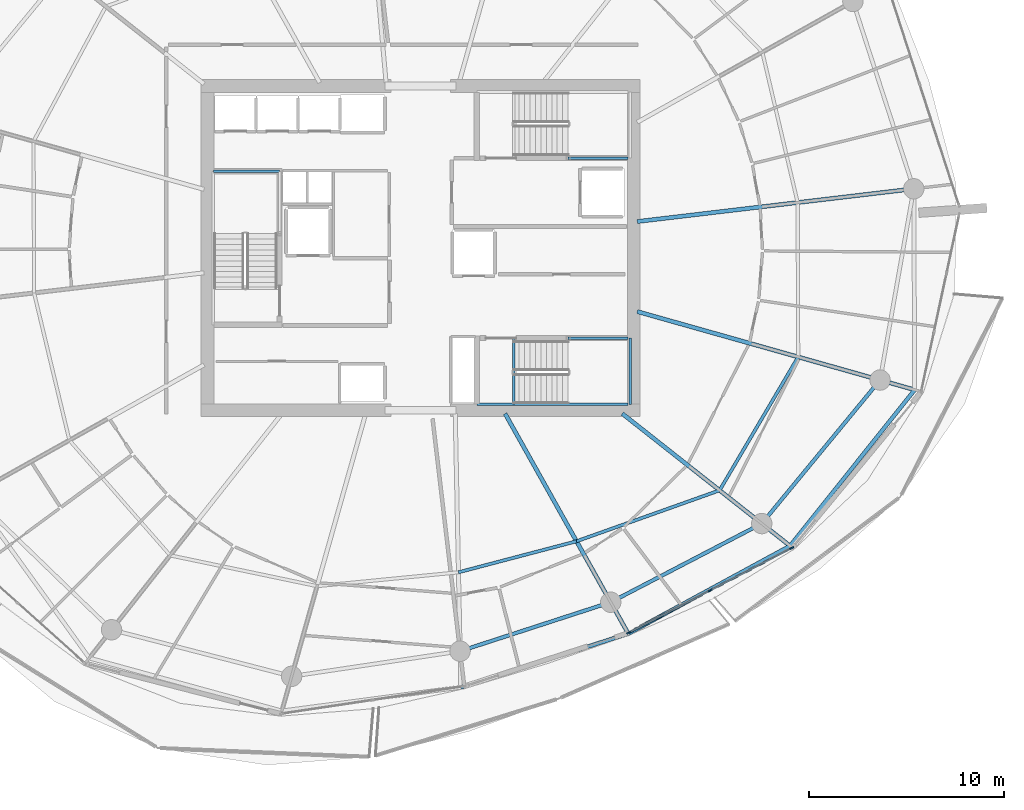
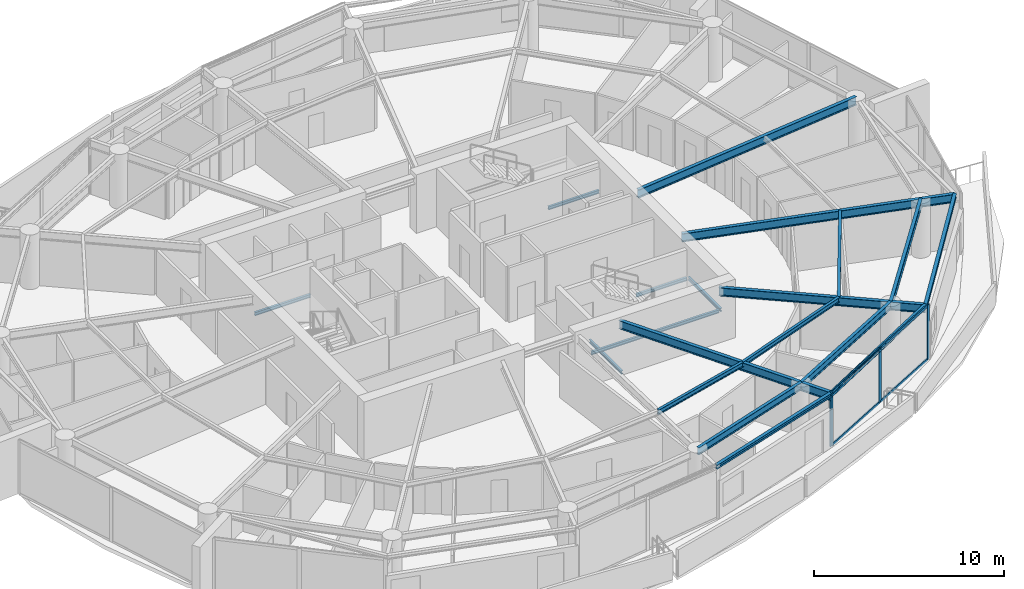
# One storey, part 6 of 20: 19 beams, 7 members, 1 element without a shape of its own.
"""IFC4 building model written with IfcOpenShell, lengths in metres."""

from ifc_helpers import new_model, si_unit, direction, frame, origin, origin_2d, place, context, subcontext, project, spatial, rectangle, i_section, extrude, material, layer, layer_set, material_profile, profile_set, type_object, element, aggregate, save


model = new_model("IFC4")

# Units and contexts
model_context = context("Model", 3, precision=1e-05, world=origin(), true_north=direction((0.0, 1.0)))
body_context = subcontext(model_context, "Body", "Model", "MODEL_VIEW")
ifc_project = project(units=[si_unit("LENGTHUNIT", "METRE"), si_unit("AREAUNIT", "SQUARE_METRE"), si_unit("VOLUMEUNIT", "CUBIC_METRE"), si_unit("PLANEANGLEUNIT", "RADIAN"), si_unit("MASSUNIT", "GRAM", prefix="KILO")], contexts=[model_context])

# Site, building, storey
site_placement = place(None, origin())
site = spatial("IfcSite", under=ifc_project, at=site_placement, CompositionType="ELEMENT")
building_placement = place(site_placement, origin())
building = spatial("IfcBuilding", under=site, at=building_placement, Name="Kazma Halo Residences", CompositionType="ELEMENT")
storey_placement = place(building_placement, frame((0.0, 0.0, 206.550048828125)))
storey = spatial("IfcBuildingStorey", under=building, at=storey_placement, Name="L52", CompositionType="ELEMENT", Elevation=206.550048828125)

# Beams
ifc_material_1 = material(Name="Steel S355", Category="steel")
ifc_material_profile_1 = material_profile(ifc_material_1, i_section(OverallWidth=0.201904296875, OverallDepth=0.2470703125, WebThickness=0.00732421875, FlangeThickness=0.010986328125, FilletRadius=0.011962890625, at=origin_2d()), Name="W250x49.1")
ifc_profile_set_1 = profile_set([ifc_material_profile_1], Name="Steel S355")
beam_type_1 = type_object("IfcBeamType", Name="BM-BAL-CANT", PredefinedType="BEAM", material=ifc_profile_set_1)
beam_1_placement = place(storey_placement, frame((50.48779296875, 19.45068359375, 3.37646484375), z_axis=(0.952538666424, 0.30441762263, 0.0), x_axis=(-0.30441762263, 0.952538666424, 0.0)))
element("IfcBeam", 1, at=beam_1_placement, inside=storey, type_object=beam_type_1, Name="L52 wave-balcony tie beam 12", PredefinedType="BEAM", context=body_context, shape_type="SweptSolid", body=[
    extrude(i_section(OverallWidth=0.201904296875, OverallDepth=0.2470703125, WebThickness=0.00732421875, FlangeThickness=0.010986328125, FilletRadius=0.011962890625, at=origin_2d()), origin(), (0.0, 0.0, 1.0), 9.029541015625),
])
beam_2_placement = place(storey_placement, frame((59.0888671875, 22.199462890625, 3.37646484375), z_axis=(0.878890557257, 0.477023467309, 0.0), x_axis=(-0.477023467309, 0.878890557257, 0.0)))
element("IfcBeam", 2, at=beam_2_placement, inside=storey, type_object=beam_type_1, Name="L52 wave-balcony tie beam 13", PredefinedType="BEAM", context=body_context, shape_type="SweptSolid", body=[
    extrude(i_section(OverallWidth=0.201904296875, OverallDepth=0.2470703125, WebThickness=0.00732421875, FlangeThickness=0.010986328125, FilletRadius=0.011962890625, at=origin_2d()), origin(), (0.0, 0.0, 1.0), 9.452880859375),
])
beam_3_placement = place(storey_placement, frame((67.39697265625, 26.708740234375, 3.37646484375), z_axis=(0.624195724924, 0.781268005864, 0.0), x_axis=(-0.781268005864, 0.624195724924, 0.0)))
element("IfcBeam", 3, at=beam_3_placement, inside=storey, type_object=beam_type_1, Name="L52 wave-balcony tie beam 14", PredefinedType="BEAM", context=body_context, shape_type="SweptSolid", body=[
    extrude(i_section(OverallWidth=0.201904296875, OverallDepth=0.2470703125, WebThickness=0.00732421875, FlangeThickness=0.010986328125, FilletRadius=0.011962890625, at=origin_2d()), origin(), (0.0, 0.0, 1.0), 10.258544921875),
])
ifc_material_profile_2 = material_profile(ifc_material_1, i_section(OverallWidth=0.208984375, OverallDepth=0.532958984375, WebThickness=0.01025390625, FlangeThickness=0.015625, FilletRadius=0.01611328125, at=origin_2d()), Name="W530x92")
ifc_profile_set_2 = profile_set([ifc_material_profile_2], Name="Steel S355")
beam_type_2 = type_object("IfcBeamType", Name="BM-RAD-W530", PredefinedType="BEAM", material=ifc_profile_set_2)
beam_4_placement = place(storey_placement, frame((52.76025390625, 33.5, 3.2333984375), z_axis=(0.488621736368, -0.872495729931, 0.0), x_axis=(0.872495729931, 0.488621736368, 0.0)))
element("IfcBeam", 4, at=beam_4_placement, inside=storey, type_object=beam_type_2, Name="L52 radial floor beam 13", PredefinedType="BEAM", context=body_context, shape_type="SweptSolid", body=[
    extrude(i_section(OverallWidth=0.208984375, OverallDepth=0.532958984375, WebThickness=0.01025390625, FlangeThickness=0.015625, FilletRadius=0.01611328125, at=origin_2d()), origin(), (0.0, 0.0, 1.0), 12.951904296875),
])
beam_5_placement = place(storey_placement, frame((58.7822265625, 33.5, 3.2333984375), z_axis=(0.785319521624, -0.619090662954, 0.0), x_axis=(0.619090662954, 0.785319521624, 0.0)))
element("IfcBeam", 5, at=beam_5_placement, inside=storey, type_object=beam_type_2, Name="L52 radial floor beam 14", PredefinedType="BEAM", context=body_context, shape_type="SweptSolid", body=[
    extrude(i_section(OverallWidth=0.208984375, OverallDepth=0.532958984375, WebThickness=0.01025390625, FlangeThickness=0.015625, FilletRadius=0.01611328125, at=origin_2d()), origin(), (0.0, 0.0, 1.0), 10.9697265625),
])
beam_6_placement = place(storey_placement, frame((59.550048828125, 38.74267578125, 3.2333984375), z_axis=(0.962449896911, -0.271459381741, 0.0), x_axis=(0.271459381741, 0.962449896911, 0.0)))
element("IfcBeam", 6, at=beam_6_placement, inside=storey, type_object=beam_type_2, Name="L52 radial floor beam 15", PredefinedType="BEAM", context=body_context, shape_type="SweptSolid", body=[
    extrude(i_section(OverallWidth=0.208984375, OverallDepth=0.532958984375, WebThickness=0.01025390625, FlangeThickness=0.015625, FilletRadius=0.01611328125, at=origin_2d()), origin(), (0.0, 0.0, 1.0), 14.80615234375),
])
beam_7_placement = place(storey_placement, frame((59.550048828125, 43.366943359375, 3.2333984375), z_axis=(0.993068204292, 0.117539532174, 0.0), x_axis=(-0.117539532174, 0.993068204292, 0.0)))
element("IfcBeam", 7, at=beam_7_placement, inside=storey, type_object=beam_type_2, Name="L52 radial floor beam 16", PredefinedType="BEAM", context=body_context, shape_type="SweptSolid", body=[
    extrude(i_section(OverallWidth=0.208984375, OverallDepth=0.532958984375, WebThickness=0.01025390625, FlangeThickness=0.015625, FilletRadius=0.01611328125, at=origin_2d()), origin(), (0.0, 0.0, 1.0), 14.30078125),
])
ifc_material_profile_3 = material_profile(ifc_material_1, i_section(OverallWidth=0.1650390625, OverallDepth=0.31005859375, WebThickness=0.005859375, FlangeThickness=0.009765625, FilletRadius=0.011962890625, at=origin_2d()), Name="W310x38.7")
ifc_profile_set_3 = profile_set([ifc_material_profile_3], Name="Steel S355")
beam_type_3 = type_object("IfcBeamType", Name="BM-SEC-W310B", PredefinedType="JOIST", material=ifc_profile_set_3)
beam_8_placement = place(storey_placement, frame((50.366943359375, 25.3515625, 3.344970703125), z_axis=(0.967135034863, 0.254263297273, 0.0), x_axis=(-0.254263297273, 0.967135034863, 0.0)))
element("IfcBeam", 8, at=beam_8_placement, inside=storey, type_object=beam_type_3, Name="L52 circumferential floor joist 12", PredefinedType="JOIST", context=body_context, shape_type="SweptSolid", body=[
    extrude(i_section(OverallWidth=0.1650390625, OverallDepth=0.31005859375, WebThickness=0.005859375, FlangeThickness=0.009765625, FilletRadius=0.011962890625, at=origin_2d()), origin(), (0.0, 0.0, 1.0), 6.27001953125),
])
beam_9_placement = place(storey_placement, frame((56.430908203125, 26.94580078125, 3.344970703125), z_axis=(0.942107492186, 0.335311009612, 0.0), x_axis=(-0.335311009612, 0.942107492186, 0.0)))
element("IfcBeam", 9, at=beam_9_placement, inside=storey, type_object=beam_type_3, Name="L52 circumferential floor joist 13", PredefinedType="JOIST", context=body_context, shape_type="SweptSolid", body=[
    extrude(i_section(OverallWidth=0.1650390625, OverallDepth=0.31005859375, WebThickness=0.005859375, FlangeThickness=0.009765625, FilletRadius=0.011962890625, at=origin_2d()), origin(), (0.0, 0.0, 1.0), 7.79931640625),
])
beam_10_placement = place(storey_placement, frame((63.77880859375, 29.56103515625, 3.344970703125), z_axis=(0.507638586433, 0.861570116453, 0.0), x_axis=(-0.861570116453, 0.507638586433, 0.0)))
element("IfcBeam", 10, at=beam_10_placement, inside=storey, type_object=beam_type_3, Name="L52 circumferential floor joist 14", PredefinedType="JOIST", context=body_context, shape_type="SweptSolid", body=[
    extrude(i_section(OverallWidth=0.1650390625, OverallDepth=0.31005859375, WebThickness=0.005859375, FlangeThickness=0.009765625, FilletRadius=0.011962890625, at=origin_2d()), origin(), (0.0, 0.0, 1.0), 7.951171875),
])
ifc_material_profile_4 = material_profile(ifc_material_1, i_section(OverallWidth=0.18994140625, OverallDepth=0.45703125, WebThickness=0.009033203125, FlangeThickness=0.014404296875, FilletRadius=0.01611328125, at=origin_2d()), Name="W460x74")
ifc_profile_set_4 = profile_set([ifc_material_profile_4], Name="Steel S355")
beam_type_4 = type_object("IfcBeamType", Name="BM-SPN-W460", PredefinedType="BEAM", material=ifc_profile_set_4)
beam_11_placement = place(storey_placement, frame((50.449951171875, 21.30029296875, 3.271484375), z_axis=(0.951048627281, 0.30904127321, 0.0), x_axis=(-0.30904127321, 0.951048627281, 0.0)))
element("IfcBeam", 11, at=beam_11_placement, inside=storey, type_object=beam_type_4, Name="L52 perimeter ring beam 12", PredefinedType="BEAM", context=body_context, shape_type="SweptSolid", body=[
    extrude(i_section(OverallWidth=0.18994140625, OverallDepth=0.45703125, WebThickness=0.009033203125, FlangeThickness=0.014404296875, FilletRadius=0.01611328125, at=origin_2d()), origin(), (0.0, 0.0, 1.0), 8.133056640625),
])
beam_12_placement = place(storey_placement, frame((58.184814453125, 23.813720703125, 3.271484375), z_axis=(0.886961243394, 0.461843861838, 0.0), x_axis=(-0.461843861838, 0.886961243394, 0.0)))
element("IfcBeam", 12, at=beam_12_placement, inside=storey, type_object=beam_type_4, Name="L52 perimeter ring beam 13", PredefinedType="BEAM", context=body_context, shape_type="SweptSolid", body=[
    extrude(i_section(OverallWidth=0.18994140625, OverallDepth=0.45703125, WebThickness=0.009033203125, FlangeThickness=0.014404296875, FilletRadius=0.01611328125, at=origin_2d()), origin(), (0.0, 0.0, 1.0), 8.748046875),
])
beam_13_placement = place(storey_placement, frame((65.944091796875, 27.85400390625, 3.271484375), z_axis=(0.63601715545, 0.771674917289, 0.0), x_axis=(-0.771674917289, 0.63601715545, 0.0)))
element("IfcBeam", 13, at=beam_13_placement, inside=storey, type_object=beam_type_4, Name="L52 perimeter ring beam 14", PredefinedType="BEAM", context=body_context, shape_type="SweptSolid", body=[
    extrude(i_section(OverallWidth=0.18994140625, OverallDepth=0.45703125, WebThickness=0.009033203125, FlangeThickness=0.014404296875, FilletRadius=0.01611328125, at=origin_2d()), origin(), (0.0, 0.0, 1.0), 9.552734375),
])
ifc_material_profile_5 = material_profile(ifc_material_1, i_section(OverallWidth=0.133056640625, OverallDepth=0.20703125, WebThickness=0.005859375, FlangeThickness=0.00830078125, FilletRadius=0.010009765625, at=origin_2d()), Name="W200x26.6")
ifc_profile_set_5 = profile_set([ifc_material_profile_5], Name="Steel S355")
beam_type_5 = type_object("IfcBeamType", Name="BM-TRIM-W200", PredefinedType="BEAM", material=ifc_profile_set_5)
beam_14_placement = place(storey_placement, frame((53.199951171875, 34.0, -0.360107421875), z_axis=(0.0, 1.0, 0.0), x_axis=(-1.0, 0.0, 0.0)))
element("IfcBeam", 14, at=beam_14_placement, inside=storey, type_object=beam_type_5, Name="L52 ST-03 floor landing support beam", PredefinedType="BEAM", context=body_context, shape_type="SweptSolid", body=[
    extrude(i_section(OverallWidth=0.133056640625, OverallDepth=0.20703125, WebThickness=0.005859375, FlangeThickness=0.00830078125, FilletRadius=0.010009765625, at=origin_2d()), origin(), (0.0, 0.0, 1.0), 3.3798828125),
])
beam_15_placement = place(storey_placement, frame((37.780029296875, 45.93994140625, 1.570068359375), z_axis=(1.0, 0.0, 0.0), x_axis=(0.0, 1.0, 0.0)))
element("IfcBeam", 15, at=beam_15_placement, inside=storey, type_object=beam_type_5, Name="L52 ST-01 landing end wall ledger", PredefinedType="BEAM", context=body_context, shape_type="SweptSolid", body=[
    extrude(i_section(OverallWidth=0.133056640625, OverallDepth=0.20703125, WebThickness=0.005859375, FlangeThickness=0.00830078125, FilletRadius=0.010009765625, at=origin_2d()), origin(), (0.0, 0.0, 1.0), 3.39990234375),
])
beam_16_placement = place(storey_placement, frame((56.0, 46.6201171875, 1.570068359375), z_axis=(1.0, 0.0, 0.0), x_axis=(0.0, 1.0, 0.0)))
element("IfcBeam", 16, at=beam_16_placement, inside=storey, type_object=beam_type_5, Name="L52 ST-02 landing south wall ledger", PredefinedType="BEAM", context=body_context, shape_type="SweptSolid", body=[
    extrude(i_section(OverallWidth=0.133056640625, OverallDepth=0.20703125, WebThickness=0.005859375, FlangeThickness=0.00830078125, FilletRadius=0.010009765625, at=origin_2d()), origin(), (0.0, 0.0, 1.0), 3.070068359375),
])
beam_17_placement = place(storey_placement, frame((51.31005859375, 33.97998046875, 1.570068359375), z_axis=(1.0, 0.0, 0.0), x_axis=(0.0, 1.0, 0.0)))
element("IfcBeam", 17, at=beam_17_placement, inside=storey, type_object=beam_type_5, Name="L52 ST-03 landing south wall ledger", PredefinedType="BEAM", context=body_context, shape_type="SweptSolid", body=[
    extrude(i_section(OverallWidth=0.133056640625, OverallDepth=0.20703125, WebThickness=0.005859375, FlangeThickness=0.00830078125, FilletRadius=0.010009765625, at=origin_2d()), origin(), (0.0, 0.0, 1.0), 7.760009765625),
])
beam_18_placement = place(storey_placement, frame((56.0, 37.3798828125, 1.570068359375), z_axis=(1.0, 0.0, 0.0), x_axis=(0.0, 1.0, 0.0)))
element("IfcBeam", 18, at=beam_18_placement, inside=storey, type_object=beam_type_5, Name="L52 ST-03 landing north wall ledger", PredefinedType="BEAM", context=body_context, shape_type="SweptSolid", body=[
    extrude(i_section(OverallWidth=0.133056640625, OverallDepth=0.20703125, WebThickness=0.005859375, FlangeThickness=0.00830078125, FilletRadius=0.010009765625, at=origin_2d()), origin(), (0.0, 0.0, 1.0), 3.070068359375),
])
beam_19_placement = place(storey_placement, frame((59.18994140625, 33.97998046875, 1.570068359375), z_axis=(0.0, 1.0, 0.0), x_axis=(-1.0, 0.0, 0.0)))
element("IfcBeam", 19, at=beam_19_placement, inside=storey, type_object=beam_type_5, Name="L52 ST-03 landing end wall ledger", PredefinedType="BEAM", context=body_context, shape_type="SweptSolid", body=[
    extrude(i_section(OverallWidth=0.133056640625, OverallDepth=0.20703125, WebThickness=0.005859375, FlangeThickness=0.00830078125, FilletRadius=0.010009765625, at=origin_2d()), origin(), (0.0, 0.0, 1.0), 3.39990234375),
])

# Curtain wall, members
ifc_material_2 = material(Name="Aluminium AW-6063 T6 and Triple-Silver Low-E Glass", Category="aluminium")
ifc_layer = layer(ifc_material_2, 0.219970703125)
ifc_layer_set = layer_set([ifc_layer], Name="Aluminium AW-6063 T6 and Triple-Silver Low-E Glass")
curtain_wall_type = type_object("IfcCurtainWallType", Name="CW-SYS-4", PredefinedType="NOTDEFINED", material=ifc_layer_set)
curtain_wall_placement = place(storey_placement, origin())
curtain_wall = element("IfcCurtainWall", 20, at=curtain_wall_placement, inside=storey, type_object=curtain_wall_type, Name="L52 unitised curtain wall B13", PredefinedType="NOTDEFINED")
ifc_material_3 = material(Name="Aluminium AW-6063 T6", Category="aluminium")
ifc_material_profile_6 = material_profile(ifc_material_3, rectangle(XDim=0.074951171875, YDim=0.219970703125, at=origin_2d()), Name="CWM-75x220")
ifc_profile_set_6 = profile_set([ifc_material_profile_6], Name="Aluminium AW-6063 T6")
member_type_1 = type_object("IfcMemberType", Name="CW-SYS-4-MUL", PredefinedType="MULLION", material=ifc_profile_set_6)
member_1_placement = place(storey_placement, frame((59.105712890625, 22.24609375, 0.0), z_axis=(0.0, 0.0, 1.0), x_axis=(-0.460873851097, 0.887465657575, 0.0)))
member_1 = element("IfcMember", 21, at=member_1_placement, type_object=member_type_1, Name="CWS-4 mullion 1", PredefinedType="MULLION", context=body_context, shape_type="SweptSolid", body=[
    extrude(rectangle(XDim=0.074951171875, YDim=0.219970703125, at=origin_2d()), origin(), (0.0, 0.0, 1.0), 3.5),
])
member_2_placement = place(storey_placement, frame((63.294677734375, 24.421630859375, 0.0), z_axis=(0.0, 0.0, 1.0), x_axis=(-0.460873851097, 0.887465657575, 0.0)))
member_2 = element("IfcMember", 22, at=member_2_placement, type_object=member_type_1, Name="CWS-4 mullion 2", PredefinedType="MULLION", context=body_context, shape_type="SweptSolid", body=[
    extrude(rectangle(XDim=0.074951171875, YDim=0.219970703125, at=origin_2d()), origin(), (0.0, 0.0, 1.0), 3.5),
])
member_3_placement = place(storey_placement, frame((67.4833984375, 26.596923828125, 0.0), z_axis=(0.0, 0.0, 1.0), x_axis=(-0.460873851097, 0.887465657575, 0.0)))
member_3 = element("IfcMember", 23, at=member_3_placement, type_object=member_type_1, Name="CWS-4 mullion 3", PredefinedType="MULLION", context=body_context, shape_type="SweptSolid", body=[
    extrude(rectangle(XDim=0.074951171875, YDim=0.219970703125, at=origin_2d()), origin(), (0.0, 0.0, 1.0), 3.5),
])
ifc_material_profile_7 = material_profile(ifc_material_3, rectangle(XDim=0.074951171875, YDim=0.1650390625, at=origin_2d()), Name="CWT-75x165")
ifc_profile_set_7 = profile_set([ifc_material_profile_7], Name="Aluminium AW-6063 T6")
member_type_2 = type_object("IfcMemberType", Name="CW-SYS-4-TRN", PredefinedType="USERDEFINED", material=ifc_profile_set_7)
member_4_placement = place(storey_placement, frame((59.138916015625, 22.263427734375, 0.037353515625), z_axis=(0.887457630519, 0.460889307789, 0.0), x_axis=(-0.460889307789, 0.887457630519, 0.0)))
member_4 = element("IfcMember", 24, at=member_4_placement, type_object=member_type_2, Name="CWS-4 transom 1.1", ObjectType="TRANSOM", PredefinedType="USERDEFINED", context=body_context, shape_type="SweptSolid", body=[
    extrude(rectangle(XDim=0.074951171875, YDim=0.1650390625, at=origin_2d()), origin(), (0.0, 0.0, 1.0), 4.64501953125),
])
member_5_placement = place(storey_placement, frame((59.138916015625, 22.263427734375, 3.46240234375), z_axis=(0.887457630519, 0.460889307789, 0.0), x_axis=(-0.460889307789, 0.887457630519, 0.0)))
member_5 = element("IfcMember", 25, at=member_5_placement, type_object=member_type_2, Name="CWS-4 transom 1.2", ObjectType="TRANSOM", PredefinedType="USERDEFINED", context=body_context, shape_type="SweptSolid", body=[
    extrude(rectangle(XDim=0.074951171875, YDim=0.1650390625, at=origin_2d()), origin(), (0.0, 0.0, 1.0), 4.64501953125),
])
member_6_placement = place(storey_placement, frame((63.327880859375, 24.438720703125, 0.037353515625), z_axis=(0.887457630519, 0.460889307789, 0.0), x_axis=(-0.460889307789, 0.887457630519, 0.0)))
member_6 = element("IfcMember", 26, at=member_6_placement, type_object=member_type_2, Name="CWS-4 transom 2.1", ObjectType="TRANSOM", PredefinedType="USERDEFINED", context=body_context, shape_type="SweptSolid", body=[
    extrude(rectangle(XDim=0.074951171875, YDim=0.1650390625, at=origin_2d()), origin(), (0.0, 0.0, 1.0), 4.64501953125),
])
member_7_placement = place(storey_placement, frame((63.327880859375, 24.438720703125, 3.46240234375), z_axis=(0.887457630519, 0.460889307789, 0.0), x_axis=(-0.460889307789, 0.887457630519, 0.0)))
member_7 = element("IfcMember", 27, at=member_7_placement, type_object=member_type_2, Name="CWS-4 transom 2.2", ObjectType="TRANSOM", PredefinedType="USERDEFINED", context=body_context, shape_type="SweptSolid", body=[
    extrude(rectangle(XDim=0.074951171875, YDim=0.1650390625, at=origin_2d()), origin(), (0.0, 0.0, 1.0), 4.64501953125),
])
aggregate(curtain_wall, [member_1, member_2, member_3, member_4, member_5, member_6, member_7])

save(model, "model.ifc")
